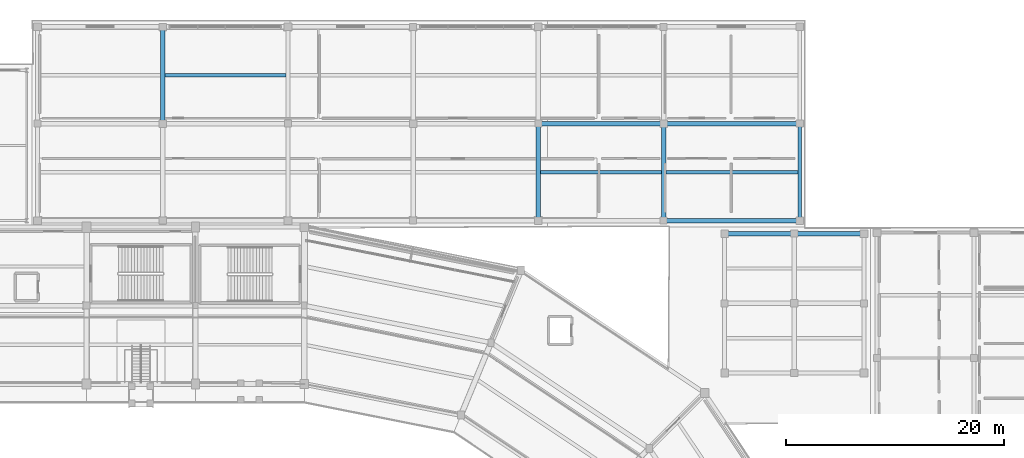
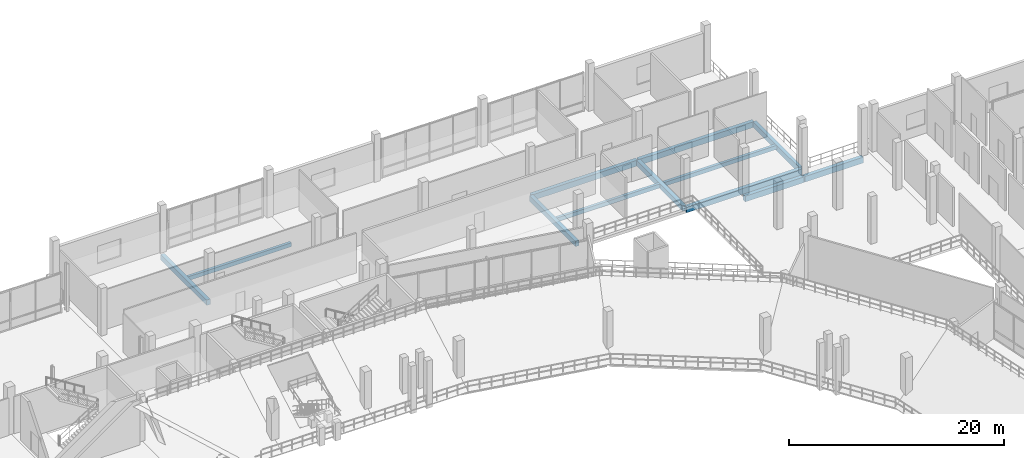
# One storey, part 58 of 127: 12 beams.
"""IFC4 building model written with IfcOpenShell, lengths in metres."""

from ifc_helpers import new_model, si_unit, direction, frame, origin, origin_2d, place, context, subcontext, project, spatial, rectangle, extrude, material, material_profile, profile_set, type_object, element, save


model = new_model("IFC4")

# Units and contexts
model_context = context("Model", 3, precision=1e-05, world=origin(), true_north=direction((0.0, 1.0)))
body_context = subcontext(model_context, "Body", "Model", "MODEL_VIEW")
ifc_project = project(units=[si_unit("LENGTHUNIT", "METRE"), si_unit("AREAUNIT", "SQUARE_METRE"), si_unit("VOLUMEUNIT", "CUBIC_METRE"), si_unit("PLANEANGLEUNIT", "RADIAN"), si_unit("MASSUNIT", "GRAM", prefix="KILO")], contexts=[model_context])

# Site, building, storey
site_placement = place(None, origin())
site = spatial("IfcSite", under=ifc_project, at=site_placement, CompositionType="ELEMENT")
building_placement = place(site_placement, origin())
building = spatial("IfcBuilding", under=site, at=building_placement, Name="Candeia Ridge Stadium", CompositionType="ELEMENT")
storey_placement = place(building_placement, frame((0.0, 0.0, 10.800048828125)))
storey = spatial("IfcBuildingStorey", under=building, at=storey_placement, Name="L02", CompositionType="ELEMENT", Elevation=10.800048828125)

# Beams
ifc_material = material(Name="Concrete C40/50", Category="concrete")
ifc_material_profile_1 = material_profile(ifc_material, rectangle(XDim=0.300048828125, YDim=0.449951171875, at=origin_2d()), Name="RC300x450", Category="concrete")
ifc_profile_set_1 = profile_set([ifc_material_profile_1], Name="Concrete C40/50")
beam_type_1 = type_object("IfcBeamType", Name="Floor Joist RC300x450", PredefinedType="JOIST", material=ifc_profile_set_1)
for number, where, z_axis, x_axis, name in (
    (1, (128.199462890625, 160.949951171875, -0.485107421875), (1.0, 0.0, 0.0), (0.0, 1.0, 0.0), "Wing secondary joist BM-L02-1754"),
    (2, (162.699462890625, 152.050048828125, -0.485107421875), (1.0, 0.0, 0.0), (0.0, 1.0, 0.0), "Wing secondary joist BM-L02-1767"),
):
    element("IfcBeam", number, at=place(storey_placement, frame(where, z_axis=z_axis, x_axis=x_axis)), inside=storey, type_object=beam_type_1, Name=name, PredefinedType="JOIST", context=body_context, shape_type="SweptSolid", body=[
        extrude(rectangle(XDim=0.300048828125, YDim=0.449951171875, at=origin_2d()), origin(), (0.0, 0.0, 1.0), 11.10107421875),
    ])
beam_1_placement = place(storey_placement, frame((174.199462890625, 152.050048828125, -0.485107421875), z_axis=(1.0, 0.0, 0.0), x_axis=(0.0, 1.0, 0.0)))
element("IfcBeam", 3, at=beam_1_placement, inside=storey, type_object=beam_type_1, Name="Wing secondary joist BM-L02-1772", PredefinedType="JOIST", context=body_context, shape_type="SweptSolid", body=[
    extrude(rectangle(XDim=0.300048828125, YDim=0.449951171875, at=origin_2d()), origin(), (0.0, 0.0, 1.0), 12.1259765625),
])
ifc_material_profile_2 = material_profile(ifc_material, rectangle(XDim=0.39990234375, YDim=0.60009765625, at=origin_2d()), Name="RC400x600", Category="concrete")
ifc_profile_set_2 = profile_set([ifc_material_profile_2], Name="Concrete C40/50")
beam_type_2 = type_object("IfcBeamType", Name="Frame Girder RC400x600", PredefinedType="BEAM", material=ifc_profile_set_2)
for number, where, z_axis, x_axis, name in (
    (4, (128.0, 156.659912109375, -0.56005859375), (0.0, 1.0, 0.0), (-1.0, 0.0, 0.0), "Structural girder BM-L02-1735"),
    (5, (162.5, 147.760009765625, -0.56005859375), (0.0, 1.0, 0.0), (-1.0, 0.0, 0.0), "Structural girder BM-L02-1740"),
    (6, (174.0, 147.760009765625, -0.56005859375), (0.0, 1.0, 0.0), (-1.0, 0.0, 0.0), "Structural girder BM-L02-1742"),
):
    element("IfcBeam", number, at=place(storey_placement, frame(where, z_axis=z_axis, x_axis=x_axis)), inside=storey, type_object=beam_type_2, Name=name, PredefinedType="BEAM", context=body_context, shape_type="SweptSolid", body=[
        extrude(rectangle(XDim=0.39990234375, YDim=0.60009765625, at=origin_2d()), origin(), (0.0, 0.0, 1.0), 8.580078125),
    ])
ifc_material_profile_3 = material_profile(ifc_material, rectangle(XDim=0.35009765625, YDim=0.64990234375, at=origin_2d()), Name="RC350x650", Category="concrete")
ifc_profile_set_3 = profile_set([ifc_material_profile_3], Name="Concrete C40/50")
beam_type_3 = type_object("IfcBeamType", Name="Spandrel Beam RC350x650", PredefinedType="SPANDREL", material=ifc_profile_set_3)
beam_2_placement = place(storey_placement, frame((186.5, 147.760009765625, -0.5849609375), z_axis=(0.0, 1.0, 0.0), x_axis=(-1.0, 0.0, 0.0)))
element("IfcBeam", 7, at=beam_2_placement, inside=storey, type_object=beam_type_3, Name="Structural girder BM-L02-1744", PredefinedType="SPANDREL", context=body_context, shape_type="SweptSolid", body=[
    extrude(rectangle(XDim=0.35009765625, YDim=0.64990234375, at=origin_2d()), origin(), (0.0, 0.0, 1.0), 8.580078125),
])
ifc_material_profile_4 = material_profile(ifc_material, rectangle(XDim=0.39990234375, YDim=0.64990234375, at=origin_2d()), Name="RC400x650", Category="concrete")
ifc_profile_set_4 = profile_set([ifc_material_profile_4], Name="Concrete C40/50")
beam_type_4 = type_object("IfcBeamType", Name="Wing Primary Girder RC400x650", PredefinedType="BEAM", material=ifc_profile_set_4)
beam_3_placement = place(storey_placement, frame((162.550048828125, 156.5, -0.5849609375), z_axis=(1.0, 0.0, 0.0), x_axis=(0.0, 1.0, 0.0)))
element("IfcBeam", 8, at=beam_3_placement, inside=storey, type_object=beam_type_4, Name="Structural girder BM-L02-1768", PredefinedType="BEAM", context=body_context, shape_type="SweptSolid", body=[
    extrude(rectangle(XDim=0.39990234375, YDim=0.64990234375, at=origin_2d()), origin(), (0.0, 0.0, 1.0), 11.39990234375),
])
for number, where, z_axis, x_axis, name in (
    (9, (174.050048828125, 147.60009765625, -0.5849609375), (1.0, 0.0, 0.0), (0.0, 1.0, 0.0), "Structural girder BM-L02-1771"),
    (10, (174.050048828125, 156.5, -0.5849609375), (1.0, 0.0, 0.0), (0.0, 1.0, 0.0), "Structural girder BM-L02-1773"),
):
    element("IfcBeam", number, at=place(storey_placement, frame(where, z_axis=z_axis, x_axis=x_axis)), inside=storey, type_object=beam_type_4, Name=name, PredefinedType="BEAM", context=body_context, shape_type="SweptSolid", body=[
        extrude(rectangle(XDim=0.39990234375, YDim=0.64990234375, at=origin_2d()), origin(), (0.0, 0.0, 1.0), 12.39990234375),
    ])
for number, where, z_axis, x_axis, name in (
    (11, (179.64990234375, 146.39990234375, -0.5849609375), (1.0, 0.0, 0.0), (0.0, 1.0, 0.0), "Structural girder BM-L02-2272"),
    (12, (186.050048828125, 146.39990234375, -0.5849609375), (1.0, 0.0, 0.0), (0.0, 1.0, 0.0), "Structural girder BM-L02-2277"),
):
    element("IfcBeam", number, at=place(storey_placement, frame(where, z_axis=z_axis, x_axis=x_axis)), inside=storey, type_object=beam_type_4, Name=name, PredefinedType="BEAM", context=body_context, shape_type="SweptSolid", body=[
        extrude(rectangle(XDim=0.39990234375, YDim=0.64990234375, at=origin_2d()), origin(), (0.0, 0.0, 1.0), 6.300048828125),
    ])

save(model, "model.ifc")
